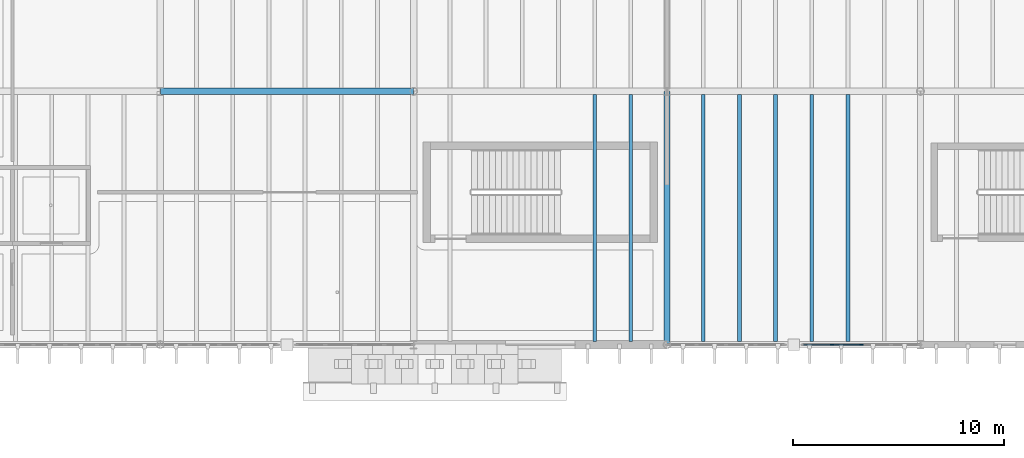
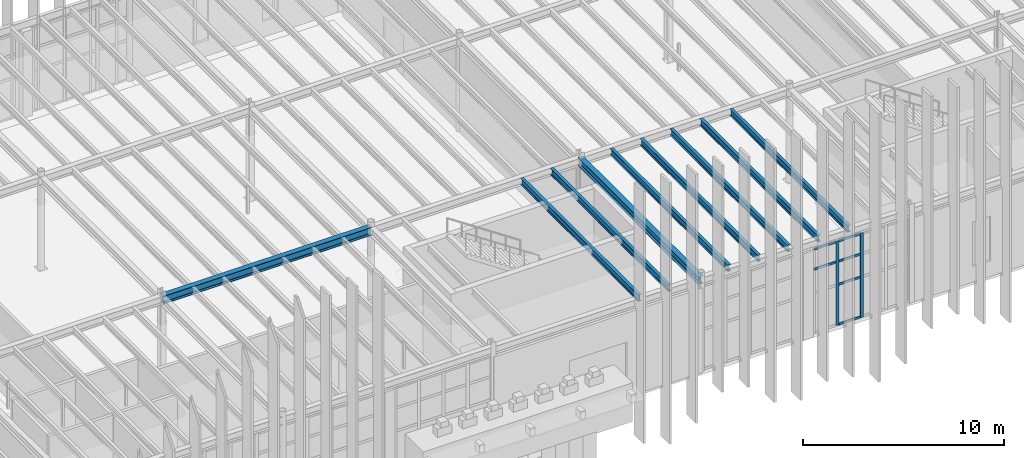
# One storey, part 23 of 83: 9 beams, 8 members, 1 element without a shape of its own.
"""IFC4 building model written with IfcOpenShell, lengths in metres."""

from ifc_helpers import new_model, si_unit, direction, frame, origin, origin_2d, place, context, subcontext, project, spatial, rectangle, i_section, extrude, material, layer, layer_set, material_profile, profile_set, type_object, element, aggregate, save


model = new_model("IFC4")

# Units and contexts
model_context = context("Model", 3, precision=1e-05, world=origin(), true_north=direction((0.0, 1.0)))
body_context = subcontext(model_context, "Body", "Model", "MODEL_VIEW")
ifc_project = project(units=[si_unit("LENGTHUNIT", "METRE"), si_unit("AREAUNIT", "SQUARE_METRE"), si_unit("VOLUMEUNIT", "CUBIC_METRE"), si_unit("PLANEANGLEUNIT", "RADIAN"), si_unit("MASSUNIT", "GRAM", prefix="KILO")], contexts=[model_context])

# Site, building, storey
site_placement = place(None, origin())
site = spatial("IfcSite", under=ifc_project, at=site_placement, CompositionType="ELEMENT")
building_placement = place(site_placement, origin())
building = spatial("IfcBuilding", under=site, at=building_placement, Name="Zlatogorsky Bluff Art Gallery", CompositionType="ELEMENT")
storey_placement = place(building_placement, frame((0.0, 0.0, 10.800048828125)))
storey = spatial("IfcBuildingStorey", under=building, at=storey_placement, Name="L02", CompositionType="ELEMENT", Elevation=10.800048828125)

# Beams
ifc_material_1 = material(Name="Steel S355", Category="steel")
ifc_material_profile_1 = material_profile(ifc_material_1, i_section(OverallWidth=0.300048828125, OverallDepth=0.489990234375, WebThickness=0.011962890625, FlangeThickness=0.02294921875, FilletRadius=0.027099609375, at=origin_2d()), Name="HEA 500")
ifc_profile_set_1 = profile_set([ifc_material_profile_1], Name="Steel S355")
beam_type_1 = type_object("IfcBeamType", Name="Beam BM-07 HEA 500", PredefinedType="BEAM", material=ifc_profile_set_1)
for number, where, z_axis, x_axis, name in (
    (1, (60.014892578125, 96.0, 5.445068359375), (1.0, 0.0, 0.0), (0.0, 1.0, 0.0), "Primary girder BM-07 L02 F-G/10"),
    (2, (84.0, 84.014892578125, 5.445068359375), (0.0, 1.0, 0.0), (-1.0, 0.0, 0.0), "Primary girder BM-07 L02 H/9-10"),
):
    element("IfcBeam", number, at=place(storey_placement, frame(where, z_axis=z_axis, x_axis=x_axis)), inside=storey, type_object=beam_type_1, Name=name, PredefinedType="BEAM", context=body_context, shape_type="SweptSolid", body=[
        extrude(i_section(OverallWidth=0.300048828125, OverallDepth=0.489990234375, WebThickness=0.011962890625, FlangeThickness=0.02294921875, FilletRadius=0.027099609375, at=origin_2d()), origin(), (0.0, 0.0, 1.0), 11.97021484375),
    ])
ifc_material_profile_2 = material_profile(ifc_material_1, i_section(OverallWidth=0.179931640625, OverallDepth=0.39990234375, WebThickness=0.008544921875, FlangeThickness=0.013427734375, FilletRadius=0.02099609375, at=origin_2d()), Name="IPE 400")
ifc_profile_set_2 = profile_set([ifc_material_profile_2], Name="Steel S355")
beam_type_2 = type_object("IfcBeamType", Name="Beam JS-05 IPE 400", PredefinedType="JOIST", material=ifc_profile_set_2)
for number, where, z_axis, x_axis, name in (
    (3, (80.571533203125, 84.14990234375, 5.489990234375), (0.0, 1.0, 0.0), (-1.0, 0.0, 0.0), "Composite floor joist JS-05 L02 06.08.5"),
    (4, (82.28564453125, 84.14990234375, 5.489990234375), (0.0, 1.0, 0.0), (-1.0, 0.0, 0.0), "Composite floor joist JS-05 L02 06.08.6"),
    (5, (85.71435546875, 84.14990234375, 5.489990234375), (0.0, 1.0, 0.0), (-1.0, 0.0, 0.0), "Composite floor joist JS-05 L02 07.08.1"),
    (6, (87.428466796875, 84.14990234375, 5.489990234375), (0.0, 1.0, 0.0), (-1.0, 0.0, 0.0), "Composite floor joist JS-05 L02 07.08.2"),
    (7, (89.142822265625, 84.14990234375, 5.489990234375), (0.0, 1.0, 0.0), (-1.0, 0.0, 0.0), "Composite floor joist JS-05 L02 07.08.3"),
    (8, (90.857177734375, 84.14990234375, 5.489990234375), (0.0, 1.0, 0.0), (-1.0, 0.0, 0.0), "Composite floor joist JS-05 L02 07.08.4"),
    (9, (92.571533203125, 84.14990234375, 5.489990234375), (0.0, 1.0, 0.0), (-1.0, 0.0, 0.0), "Composite floor joist JS-05 L02 07.08.5"),
):
    element("IfcBeam", number, at=place(storey_placement, frame(where, z_axis=z_axis, x_axis=x_axis)), inside=storey, type_object=beam_type_2, Name=name, PredefinedType="JOIST", context=body_context, shape_type="SweptSolid", body=[
        extrude(i_section(OverallWidth=0.179931640625, OverallDepth=0.39990234375, WebThickness=0.008544921875, FlangeThickness=0.013427734375, FilletRadius=0.02099609375, at=origin_2d()), origin(), (0.0, 0.0, 1.0), 11.7001953125),
    ])

# Curtain wall, members
ifc_material_2 = material(Name="Anodised Bronze Aluminium and Low-Iron Triple Glazing", Category="aluminium")
ifc_layer = layer(ifc_material_2, 0.199951171875)
ifc_layer_set = layer_set([ifc_layer], Name="Curtain Wall CW-02")
curtain_wall_type = type_object("IfcCurtainWallType", Name="Curtain Wall CW-02", PredefinedType="USERDEFINED", material=ifc_layer_set)
curtain_wall_placement = place(storey_placement, origin())
curtain_wall = element("IfcCurtainWall", 10, at=curtain_wall_placement, inside=storey, type_object=curtain_wall_type, Name="Unitised curtain wall CW-02 L02 S 7.8-B", ObjectType="CURTAIN WALL", PredefinedType="USERDEFINED")
ifc_material_3 = material(Name="Anodised Bronze Aluminium", Category="aluminium")
ifc_material_profile_3 = material_profile(ifc_material_3, rectangle(XDim=0.06494140625, YDim=0.179931640625, at=origin_2d()), Name="ALU MULLION 65x180")
ifc_profile_set_3 = profile_set([ifc_material_profile_3], Name="Anodised Bronze Aluminium")
member_type_1 = type_object("IfcMemberType", Name="Curtain Mullion ML-01", PredefinedType="MULLION", material=ifc_profile_set_3)
member_1_placement = place(storey_placement, frame((91.81494140625, 84.0, 0.0), z_axis=(0.0, 0.0, 1.0), x_axis=(0.0, 1.0, 0.0)))
member_1 = element("IfcMember", 11, at=member_1_placement, type_object=member_type_1, Name="CW-02 mullion 2", PredefinedType="MULLION", context=body_context, shape_type="SweptSolid", body=[
    extrude(rectangle(XDim=0.06494140625, YDim=0.179931640625, at=origin_2d()), origin(), (0.0, 0.0, 1.0), 5.10986328125),
])
member_2_placement = place(storey_placement, frame((93.2099609375, 84.0, 0.0), z_axis=(0.0, 0.0, 1.0), x_axis=(0.0, 1.0, 0.0)))
member_2 = element("IfcMember", 12, at=member_2_placement, type_object=member_type_1, Name="CW-02 mullion 3", PredefinedType="MULLION", context=body_context, shape_type="SweptSolid", body=[
    extrude(rectangle(XDim=0.06494140625, YDim=0.179931640625, at=origin_2d()), origin(), (0.0, 0.0, 1.0), 5.10986328125),
])
ifc_material_profile_4 = material_profile(ifc_material_3, rectangle(XDim=0.06494140625, YDim=0.139892578125, at=origin_2d()), Name="ALU TRANSOM 65x140")
ifc_profile_set_4 = profile_set([ifc_material_profile_4], Name="Anodised Bronze Aluminium")
member_type_2 = type_object("IfcMemberType", Name="Curtain Transom TR-01", PredefinedType="USERDEFINED", material=ifc_profile_set_4)
member_3_placement = place(storey_placement, frame((90.485107421875, 84.0, 3.849853515625), z_axis=(1.0, 0.0, 0.0), x_axis=(0.0, 1.0, 0.0)))
member_3 = element("IfcMember", 13, at=member_3_placement, type_object=member_type_2, Name="CW-02 transom 1.3", ObjectType="TRANSOM", PredefinedType="USERDEFINED", context=body_context, shape_type="SweptSolid", body=[
    extrude(rectangle(XDim=0.06494140625, YDim=0.139892578125, at=origin_2d()), origin(), (0.0, 0.0, 1.0), 1.29736328125),
])
member_4_placement = place(storey_placement, frame((90.485107421875, 84.0, 5.077392578125), z_axis=(1.0, 0.0, 0.0), x_axis=(0.0, 1.0, 0.0)))
member_4 = element("IfcMember", 14, at=member_4_placement, type_object=member_type_2, Name="CW-02 transom 1.4", ObjectType="TRANSOM", PredefinedType="USERDEFINED", context=body_context, shape_type="SweptSolid", body=[
    extrude(rectangle(XDim=0.06494140625, YDim=0.139892578125, at=origin_2d()), origin(), (0.0, 0.0, 1.0), 1.29736328125),
])
member_5_placement = place(storey_placement, frame((91.847412109375, 84.0, 0.032470703125), z_axis=(1.0, 0.0, 0.0), x_axis=(0.0, 1.0, 0.0)))
member_5 = element("IfcMember", 15, at=member_5_placement, type_object=member_type_2, Name="CW-02 transom 2.1", ObjectType="TRANSOM", PredefinedType="USERDEFINED", context=body_context, shape_type="SweptSolid", body=[
    extrude(rectangle(XDim=0.06494140625, YDim=0.139892578125, at=origin_2d()), origin(), (0.0, 0.0, 1.0), 1.330078125),
])
member_6_placement = place(storey_placement, frame((91.847412109375, 84.0, 2.449951171875), z_axis=(1.0, 0.0, 0.0), x_axis=(0.0, 1.0, 0.0)))
member_6 = element("IfcMember", 16, at=member_6_placement, type_object=member_type_2, Name="CW-02 transom 2.2", ObjectType="TRANSOM", PredefinedType="USERDEFINED", context=body_context, shape_type="SweptSolid", body=[
    extrude(rectangle(XDim=0.06494140625, YDim=0.139892578125, at=origin_2d()), origin(), (0.0, 0.0, 1.0), 1.330078125),
])
member_7_placement = place(storey_placement, frame((91.847412109375, 84.0, 3.849853515625), z_axis=(1.0, 0.0, 0.0), x_axis=(0.0, 1.0, 0.0)))
member_7 = element("IfcMember", 17, at=member_7_placement, type_object=member_type_2, Name="CW-02 transom 2.3", ObjectType="TRANSOM", PredefinedType="USERDEFINED", context=body_context, shape_type="SweptSolid", body=[
    extrude(rectangle(XDim=0.06494140625, YDim=0.139892578125, at=origin_2d()), origin(), (0.0, 0.0, 1.0), 1.330078125),
])
member_8_placement = place(storey_placement, frame((91.847412109375, 84.0, 5.077392578125), z_axis=(1.0, 0.0, 0.0), x_axis=(0.0, 1.0, 0.0)))
member_8 = element("IfcMember", 18, at=member_8_placement, type_object=member_type_2, Name="CW-02 transom 2.4", ObjectType="TRANSOM", PredefinedType="USERDEFINED", context=body_context, shape_type="SweptSolid", body=[
    extrude(rectangle(XDim=0.06494140625, YDim=0.139892578125, at=origin_2d()), origin(), (0.0, 0.0, 1.0), 1.330078125),
])
aggregate(curtain_wall, [member_1, member_2, member_3, member_4, member_5, member_6, member_7, member_8])

save(model, "model.ifc")
